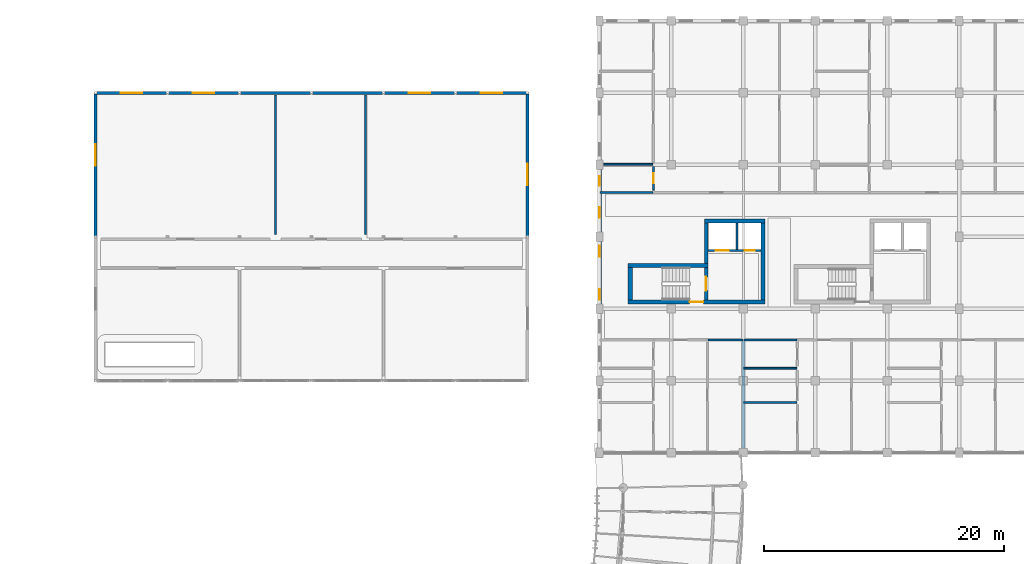
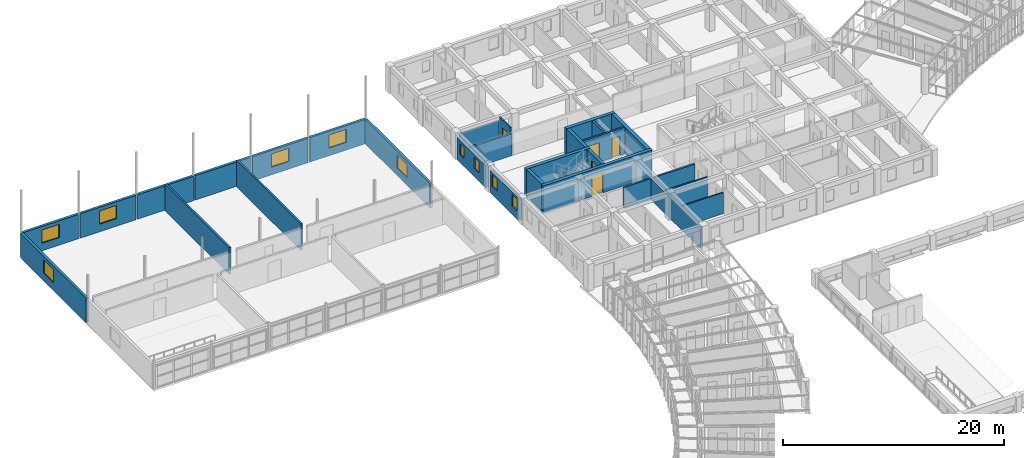
# One storey, part 101 of 137: 29 walls, 10 windows, 5 doors, 15 openings.
"""IFC4 building model written with IfcOpenShell, lengths in metres."""

from ifc_helpers import new_model, si_unit, direction, frame, frame_2d, origin, place, context, subcontext, project, spatial, rectangle, extrude, material, layer, layer_set, type_object, element, fill, save


model = new_model("IFC4")

# Units and contexts
model_context = context("Model", 3, precision=1e-05, world=origin(), true_north=direction((0.0, 1.0)))
body_context = subcontext(model_context, "Body", "Model", "MODEL_VIEW")
ifc_project = project(units=[si_unit("LENGTHUNIT", "METRE"), si_unit("AREAUNIT", "SQUARE_METRE"), si_unit("VOLUMEUNIT", "CUBIC_METRE"), si_unit("PLANEANGLEUNIT", "RADIAN"), si_unit("MASSUNIT", "GRAM", prefix="KILO"), si_unit("POWERUNIT", "WATT"), si_unit("THERMODYNAMICTEMPERATUREUNIT", "KELVIN")], contexts=[model_context])

# Site, building, storey
site_placement = place(None, origin())
site = spatial("IfcSite", under=ifc_project, at=site_placement, CompositionType="ELEMENT")
building_placement = place(site_placement, origin())
building = spatial("IfcBuilding", under=site, at=building_placement, Name="Ruvembo Vaulted Housing Court", CompositionType="ELEMENT")
storey_placement = place(building_placement, frame((0.0, 0.0, 4.5)))
storey = spatial("IfcBuildingStorey", under=building, at=storey_placement, Name="L01", CompositionType="ELEMENT", Elevation=4.5)

# Wall, opening, door
ifc_material_1 = material(Name="Concrete C35/45", Category="concrete")
ifc_layer_1 = layer(ifc_material_1, 0.300048828125, Name="Concrete C35/45")
ifc_layer_set_1 = layer_set([ifc_layer_1], Name="Concrete C35/45")
wall_type_1 = type_object("IfcWallType", Name="WL-CORE-300", PredefinedType="SHEAR", material=ifc_layer_set_1)
wall_1_placement = place(storey_placement, frame((56.89990234375, 90.75, 0.0), z_axis=(0.0, 0.0, 1.0), x_axis=(0.0, 1.0, 0.0)))
wall_1 = element("IfcWall", 1, at=wall_1_placement, inside=storey, type_object=wall_type_1, Name="Core B1 L01 Stair-Lobby Shear Wall", PredefinedType="SHEAR", context=body_context, shape_type="SweptSolid", body=[
    extrude(rectangle(XDim=2.699951171875, YDim=0.300048828125, at=frame_2d((1.35009765625, 0.0))), origin(), (0.0, 0.0, 1.0), 2.945068359375),
])
opening_1_placement = place(wall_1_placement, frame((0.77490234375, 0.0, 0.0)))
opening_1 = element("IfcOpeningElement", 2, at=opening_1_placement, cuts=wall_1, Name="Opening SD1", PredefinedType="OPENING", context=body_context, shape_type="SweptSolid", body=[
    extrude(rectangle(XDim=1.14990234375, YDim=2.14990234375, at=frame_2d((0.574951171875, 1.074951171875))), frame((0.0, 0.159912109375, 0.0), z_axis=(0.0, -1.0, 0.0), x_axis=(1.0, 0.0, 0.0)), (0.0, 0.0, 1.0), 0.320068359375),
])
ifc_material_2 = material(Name="Galvanised Painted Steel", Category="steel")
door_type_1 = type_object("IfcDoorType", Name="DR-STAIR-1150x2150", OperationType="NOTDEFINED", PredefinedType="DOOR", material=ifc_material_2)
door_1_placement = place(opening_1_placement, origin())
door_1 = element("IfcDoor", 3, at=door_1_placement, inside=storey, type_object=door_type_1, Name="Stair ST-B1 L01 Fire Door", OperationType="SINGLE_SWING_RIGHT", OverallHeight=2.14990234375, OverallWidth=1.14990234375, PredefinedType="DOOR", context=body_context, shape_type="SweptSolid", body=[
    extrude(rectangle(XDim=1.14990234375, YDim=2.14990234375, at=frame_2d((0.574951171875, 1.074951171875))), frame((0.0, 0.02490234375, 0.0), z_axis=(0.0, -1.0, 0.0), x_axis=(1.0, 0.0, 0.0)), (0.0, 0.0, 1.0), 0.050048828125),
])
fill(opening_1, door_1)

# Wall
wall_2_placement = place(storey_placement, frame((56.89990234375, 93.800048828125, 0.0), z_axis=(0.0, 0.0, 1.0), x_axis=(0.0, 1.0, 0.0)))
element("IfcWall", 4, at=wall_2_placement, inside=storey, type_object=wall_type_1, Name="Core B1 L01 Upper West Shear Wall", PredefinedType="SHEAR", context=body_context, shape_type="SweptSolid", body=[
    extrude(rectangle(XDim=3.349853515625, YDim=0.300048828125, at=frame_2d((1.6748046875, 0.0))), origin(), (0.0, 0.0, 1.0), 2.945068359375),
])

# Wall, opening, door
ifc_layer_2 = layer(ifc_material_1, 0.35009765625, Name="Concrete C35/45")
ifc_layer_set_2 = layer_set([ifc_layer_2], Name="Concrete C35/45")
wall_type_2 = type_object("IfcWallType", Name="WL-CORE-350", PredefinedType="SHEAR", material=ifc_layer_set_2)
wall_3_placement = place(storey_placement, frame((50.39990234375, 90.574951171875, 0.0), z_axis=(0.0, 0.0, 1.0), x_axis=(1.0, 0.0, 0.0)))
wall_3 = element("IfcWall", 5, at=wall_3_placement, inside=storey, type_object=wall_type_2, Name="Core B1 L01 South Shear Wall", PredefinedType="SHEAR", context=body_context, shape_type="SweptSolid", body=[
    extrude(rectangle(XDim=11.400146484375, YDim=0.35009765625, at=frame_2d((5.7001953125, 0.0))), origin(), (0.0, 0.0, 1.0), 2.945068359375),
])
opening_2_placement = place(wall_3_placement, frame((5.125, 0.0, 0.0)))
opening_2 = element("IfcOpeningElement", 6, at=opening_2_placement, cuts=wall_3, Name="Opening LD0", PredefinedType="OPENING", context=body_context, shape_type="SweptSolid", body=[
    extrude(rectangle(XDim=1.14990234375, YDim=2.14990234375, at=frame_2d((0.574951171875, 1.074951171875))), frame((0.0, 0.18505859375, 0.0), z_axis=(0.0, -1.0, 0.0), x_axis=(1.0, 0.0, 0.0)), (0.0, 0.0, 1.0), 0.3701171875),
])
door_type_2 = type_object("IfcDoorType", Name="DR-LOB-1150x2150", OperationType="NOTDEFINED", PredefinedType="DOOR", material=ifc_material_2)
door_2_placement = place(opening_2_placement, origin())
door_2 = element("IfcDoor", 7, at=door_2_placement, inside=storey, type_object=door_type_2, Name="Core B1 L01 Lobby Fire Door", OperationType="SINGLE_SWING_LEFT", OverallHeight=2.14990234375, OverallWidth=1.14990234375, PredefinedType="DOOR", context=body_context, shape_type="SweptSolid", body=[
    extrude(rectangle(XDim=1.14990234375, YDim=2.14990234375, at=frame_2d((0.574951171875, 1.074951171875))), frame((0.0, 0.02490234375, 0.0), z_axis=(0.0, -1.0, 0.0), x_axis=(1.0, 0.0, 0.0)), (0.0, 0.0, 1.0), 0.050048828125),
])
fill(opening_2, door_2)

# Walls
wall_4_placement = place(storey_placement, frame((57.050048828125, 93.625, 0.0), z_axis=(0.0, 0.0, 1.0), x_axis=(-1.0, 0.0, 0.0)))
element("IfcWall", 8, at=wall_4_placement, inside=storey, type_object=wall_type_2, Name="Core B1 L01 Stair North Shear Wall", PredefinedType="SHEAR", context=body_context, shape_type="SweptSolid", body=[
    extrude(rectangle(XDim=6.650146484375, YDim=0.35009765625, at=frame_2d((3.3251953125, 0.0))), origin(), (0.0, 0.0, 1.0), 2.945068359375),
])
wall_5_placement = place(storey_placement, frame((50.574951171875, 93.449951171875, 0.0), z_axis=(0.0, 0.0, 1.0), x_axis=(0.0, -1.0, 0.0)))
element("IfcWall", 9, at=wall_5_placement, inside=storey, type_object=wall_type_2, Name="Core B1 L01 Stair West Shear Wall", PredefinedType="SHEAR", context=body_context, shape_type="SweptSolid", body=[
    extrude(rectangle(XDim=2.699951171875, YDim=0.35009765625, at=frame_2d((1.35009765625, 0.0))), origin(), (0.0, 0.0, 1.0), 2.945068359375),
])
wall_6_placement = place(storey_placement, frame((61.800048828125, 97.324951171875, 0.0), z_axis=(0.0, 0.0, 1.0), x_axis=(-1.0, 0.0, 0.0)))
element("IfcWall", 10, at=wall_6_placement, inside=storey, type_object=wall_type_2, Name="Core B1 L01 North Shear Wall", PredefinedType="SHEAR", context=body_context, shape_type="SweptSolid", body=[
    extrude(rectangle(XDim=5.050048828125, YDim=0.35009765625, at=frame_2d((2.52490234375, 0.0))), origin(), (0.0, 0.0, 1.0), 2.945068359375),
])
wall_7_placement = place(storey_placement, frame((61.625, 90.75, 0.0), z_axis=(0.0, 0.0, 1.0), x_axis=(0.0, 1.0, 0.0)))
element("IfcWall", 11, at=wall_7_placement, inside=storey, type_object=wall_type_2, Name="Core B1 L01 East Shear Wall", PredefinedType="SHEAR", context=body_context, shape_type="SweptSolid", body=[
    extrude(rectangle(XDim=6.39990234375, YDim=0.35009765625, at=frame_2d((3.199951171875, 0.0))), origin(), (0.0, 0.0, 1.0), 2.945068359375),
])
ifc_material_3 = material(Name="Concrete Blockwork 190", Category="masonry")
ifc_layer_3 = layer(ifc_material_3, 0.18994140625, Name="Concrete Blockwork 190")
ifc_layer_set_3 = layer_set([ifc_layer_3], Name="Concrete Blockwork 190")
wall_type_3 = type_object("IfcWallType", Name="WL-CORR-190", PredefinedType="SOLIDWALL", material=ifc_layer_set_3)
for number, where, z_axis, x_axis, name in (
    (12, (21.0, 96.18994140625, 0.0), (0.0, 0.0, 1.0), (0.0, 1.0, 0.0), "L01 Educators' Workroom and Clinic Div WL-INT-L01-00166"),
    (13, (28.5, 96.18994140625, 0.0), (0.0, 0.0, 1.0), (0.0, 1.0, 0.0), "L01 Staff Accessible WC Div WL-INT-L01-00168"),
):
    element("IfcWall", number, at=place(storey_placement, frame(where, z_axis=z_axis, x_axis=x_axis)), inside=storey, type_object=wall_type_3, Name=name, PredefinedType="SOLIDWALL", context=body_context, shape_type="SweptSolid", body=[
        extrude(rectangle(XDim=11.6201171875, YDim=0.18994140625, at=frame_2d((5.81005859375, 0.0))), origin(), (0.0, 0.0, 1.0), 2.945068359375),
    ])
wall_8_placement = place(storey_placement, frame((57.0400390625, 87.39990234375, 0.0), z_axis=(0.0, 0.0, 1.0), x_axis=(1.0, 0.0, 0.0)))
element("IfcWall", 14, at=wall_8_placement, inside=storey, type_object=wall_type_3, Name="L01 Flat B-L01-S1 Corridor Wall 2 WL-INT-L01-00234", PredefinedType="SOLIDWALL", context=body_context, shape_type="SweptSolid", body=[
    extrude(rectangle(XDim=2.919921875, YDim=0.18994140625, at=frame_2d((1.4599609375, 0.0))), origin(), (0.0, 0.0, 1.0), 2.326904296875),
])
wall_9_placement = place(storey_placement, frame((60.0400390625, 87.39990234375, 0.0), z_axis=(0.0, 0.0, 1.0), x_axis=(1.0, 0.0, 0.0)))
element("IfcWall", 15, at=wall_9_placement, inside=storey, type_object=wall_type_3, Name="L01 Flat B-L01-S2 Corridor Wall WL-INT-L01-00237", PredefinedType="SOLIDWALL", context=body_context, shape_type="SweptSolid", body=[
    extrude(rectangle(XDim=4.419921875, YDim=0.18994140625, at=frame_2d((2.2099609375, 0.0))), origin(), (0.0, 0.0, 1.0), 2.326904296875),
])
wall_10_placement = place(storey_placement, frame((48.0400390625, 99.699951171875, 0.0), z_axis=(0.0, 0.0, 1.0), x_axis=(1.0, 0.0, 0.0)))
element("IfcWall", 16, at=wall_10_placement, inside=storey, type_object=wall_type_3, Name="L01 Flat B-L01-N1 Corridor Wall WL-INT-L01-00256", PredefinedType="SOLIDWALL", context=body_context, shape_type="SweptSolid", body=[
    extrude(rectangle(XDim=4.419921875, YDim=0.18994140625, at=frame_2d((2.2099609375, 0.0))), origin(), (0.0, 0.0, 1.0), 2.427001953125),
])
ifc_material_4 = material(Name="Acoustic Masonry Demising 230", Category="masonry")
ifc_layer_4 = layer(ifc_material_4, 0.22998046875, Name="Acoustic Masonry Demising 230")
ifc_layer_set_4 = layer_set([ifc_layer_4], Name="Acoustic Masonry Demising 230")
wall_type_4 = type_object("IfcWallType", Name="WL-DEM-230", PredefinedType="SOLIDWALL", material=ifc_layer_set_4)
wall_11_placement = place(storey_placement, frame((60.0, 78.389892578125, 0.0), z_axis=(0.0, 0.0, 1.0), x_axis=(0.0, 1.0, 0.0)))
element("IfcWall", 17, at=wall_11_placement, inside=storey, type_object=wall_type_4, Name="L01 Demising B-L01-S1 WL-INT-L01-00226", PredefinedType="SOLIDWALL", context=body_context, shape_type="SweptSolid", body=[
    extrude(rectangle(XDim=8.97021484375, YDim=0.22998046875, at=frame_2d((4.485107421875, 0.0))), origin(), (0.0, 0.0, 1.0), 2.326904296875),
])

# Wall, opening, window
ifc_material_5 = material(Name="Rendered Masonry 260", Category="masonry")
ifc_layer_5 = layer(ifc_material_5, 0.260009765625, Name="Rendered Masonry 260")
ifc_layer_set_5 = layer_set([ifc_layer_5], Name="Rendered Masonry 260")
wall_type_5 = type_object("IfcWallType", Name="WL-EXT-260", PredefinedType="STANDARD", material=ifc_layer_set_5)
wall_12_placement = place(storey_placement, frame((11.909912109375, 108.0, 0.0), z_axis=(0.0, 0.0, 1.0), x_axis=(-1.0, 0.0, 0.0)))
wall_12 = element("IfcWall", 18, at=wall_12_placement, inside=storey, type_object=wall_type_5, Name="Nursery North Wall L01 B1", PredefinedType="STANDARD", context=body_context, shape_type="SweptSolid", body=[
    extrude(rectangle(XDim=5.81982421875, YDim=0.260009765625, at=frame_2d((2.909912109375, 0.0))), origin(), (0.0, 0.0, 1.0), 2.699951171875),
])
opening_3_placement = place(wall_12_placement, frame((2.010009765625, 0.0, 0.85009765625)))
opening_3 = element("IfcOpeningElement", 19, at=opening_3_placement, cuts=wall_12, Name="Opening W22", PredefinedType="OPENING", context=body_context, shape_type="SweptSolid", body=[
    extrude(rectangle(XDim=1.800048828125, YDim=1.449951171875, at=frame_2d((0.89990234375, 0.72509765625))), frame((0.0, 0.139892578125, 0.0), z_axis=(0.0, -1.0, 0.0), x_axis=(1.0, 0.0, 0.0)), (0.0, 0.0, 1.0), 0.280029296875),
])
ifc_material_6 = material(Name="Double Solar-Control Glazing in Aluminium Frame", Category="aluminium")
window_type_1 = type_object("IfcWindowType", Name="WIN-1800x1450", PartitioningType="SINGLE_PANEL", PredefinedType="WINDOW", material=ifc_material_6)
window_1_placement = place(opening_3_placement, origin())
window_1 = element("IfcWindow", 20, at=window_1_placement, inside=storey, type_object=window_type_1, Name="Nursery North Window L01 B1", OverallHeight=1.449951171875, OverallWidth=1.800048828125, PartitioningType="SINGLE_PANEL", PredefinedType="WINDOW", context=body_context, shape_type="SweptSolid", body=[
    extrude(rectangle(XDim=1.800048828125, YDim=1.449951171875, at=frame_2d((0.89990234375, 0.72509765625))), frame((0.0, 0.030029296875, 0.0), z_axis=(0.0, -1.0, 0.0), x_axis=(1.0, 0.0, 0.0)), (0.0, 0.0, 1.0), 0.06005859375),
])
fill(opening_3, window_1)

wall_13_placement = place(storey_placement, frame((17.909912109375, 108.0, 0.0), z_axis=(0.0, 0.0, 1.0), x_axis=(-1.0, 0.0, 0.0)))
wall_13 = element("IfcWall", 21, at=wall_13_placement, inside=storey, type_object=wall_type_5, Name="Nursery North Wall L01 B2", PredefinedType="STANDARD", context=body_context, shape_type="SweptSolid", body=[
    extrude(rectangle(XDim=5.81982421875, YDim=0.260009765625, at=frame_2d((2.909912109375, 0.0))), origin(), (0.0, 0.0, 1.0), 2.699951171875),
])
opening_4_placement = place(wall_13_placement, frame((2.010009765625, 0.0, 0.85009765625)))
opening_4 = element("IfcOpeningElement", 22, at=opening_4_placement, cuts=wall_13, Name="Opening W22", PredefinedType="OPENING", context=body_context, shape_type="SweptSolid", body=[
    extrude(rectangle(XDim=1.800048828125, YDim=1.449951171875, at=frame_2d((0.89990234375, 0.72509765625))), frame((0.0, 0.139892578125, 0.0), z_axis=(0.0, -1.0, 0.0), x_axis=(1.0, 0.0, 0.0)), (0.0, 0.0, 1.0), 0.280029296875),
])
window_2_placement = place(opening_4_placement, origin())
window_2 = element("IfcWindow", 23, at=window_2_placement, inside=storey, type_object=window_type_1, Name="Nursery North Window L01 B2", OverallHeight=1.449951171875, OverallWidth=1.800048828125, PartitioningType="SINGLE_PANEL", PredefinedType="WINDOW", context=body_context, shape_type="SweptSolid", body=[
    extrude(rectangle(XDim=1.800048828125, YDim=1.449951171875, at=frame_2d((0.89990234375, 0.72509765625))), frame((0.0, 0.030029296875, 0.0), z_axis=(0.0, -1.0, 0.0), x_axis=(1.0, 0.0, 0.0)), (0.0, 0.0, 1.0), 0.06005859375),
])
fill(opening_4, window_2)

# Walls
for number, where, z_axis, x_axis, name in (
    (24, (23.909912109375, 108.0, 0.0), (0.0, 0.0, 1.0), (-1.0, 0.0, 0.0), "Nursery North Wall L01 B3"),
    (25, (29.909912109375, 108.0, 0.0), (0.0, 0.0, 1.0), (-1.0, 0.0, 0.0), "Nursery North Wall L01 B4"),
):
    element("IfcWall", number, at=place(storey_placement, frame(where, z_axis=z_axis, x_axis=x_axis)), inside=storey, type_object=wall_type_5, Name=name, PredefinedType="STANDARD", context=body_context, shape_type="SweptSolid", body=[
        extrude(rectangle(XDim=5.81982421875, YDim=0.260009765625, at=frame_2d((2.909912109375, 0.0))), origin(), (0.0, 0.0, 1.0), 2.699951171875),
    ])

# Wall, opening, window
wall_14_placement = place(storey_placement, frame((35.909912109375, 108.0, 0.0), z_axis=(0.0, 0.0, 1.0), x_axis=(-1.0, 0.0, 0.0)))
wall_14 = element("IfcWall", 26, at=wall_14_placement, inside=storey, type_object=wall_type_5, Name="Nursery North Wall L01 B5", PredefinedType="STANDARD", context=body_context, shape_type="SweptSolid", body=[
    extrude(rectangle(XDim=5.81982421875, YDim=0.260009765625, at=frame_2d((2.909912109375, 0.0))), origin(), (0.0, 0.0, 1.0), 2.699951171875),
])
opening_5_placement = place(wall_14_placement, frame((2.010009765625, 0.0, 0.85009765625)))
opening_5 = element("IfcOpeningElement", 27, at=opening_5_placement, cuts=wall_14, Name="Opening W22", PredefinedType="OPENING", context=body_context, shape_type="SweptSolid", body=[
    extrude(rectangle(XDim=1.800048828125, YDim=1.449951171875, at=frame_2d((0.89990234375, 0.72509765625))), frame((0.0, 0.139892578125, 0.0), z_axis=(0.0, -1.0, 0.0), x_axis=(1.0, 0.0, 0.0)), (0.0, 0.0, 1.0), 0.280029296875),
])
window_3_placement = place(opening_5_placement, origin())
window_3 = element("IfcWindow", 28, at=window_3_placement, inside=storey, type_object=window_type_1, Name="Nursery North Window L01 B5", OverallHeight=1.449951171875, OverallWidth=1.800048828125, PartitioningType="SINGLE_PANEL", PredefinedType="WINDOW", context=body_context, shape_type="SweptSolid", body=[
    extrude(rectangle(XDim=1.800048828125, YDim=1.449951171875, at=frame_2d((0.89990234375, 0.72509765625))), frame((0.0, 0.030029296875, 0.0), z_axis=(0.0, -1.0, 0.0), x_axis=(1.0, 0.0, 0.0)), (0.0, 0.0, 1.0), 0.06005859375),
])
fill(opening_5, window_3)

wall_15_placement = place(storey_placement, frame((41.909912109375, 108.0, 0.0), z_axis=(0.0, 0.0, 1.0), x_axis=(-1.0, 0.0, 0.0)))
wall_15 = element("IfcWall", 29, at=wall_15_placement, inside=storey, type_object=wall_type_5, Name="Nursery North Wall L01 B6", PredefinedType="STANDARD", context=body_context, shape_type="SweptSolid", body=[
    extrude(rectangle(XDim=5.81982421875, YDim=0.260009765625, at=frame_2d((2.909912109375, 0.0))), origin(), (0.0, 0.0, 1.0), 2.699951171875),
])
opening_6_placement = place(wall_15_placement, frame((2.010009765625, 0.0, 0.85009765625)))
opening_6 = element("IfcOpeningElement", 30, at=opening_6_placement, cuts=wall_15, Name="Opening W22", PredefinedType="OPENING", context=body_context, shape_type="SweptSolid", body=[
    extrude(rectangle(XDim=1.800048828125, YDim=1.449951171875, at=frame_2d((0.89990234375, 0.72509765625))), frame((0.0, 0.139892578125, 0.0), z_axis=(0.0, -1.0, 0.0), x_axis=(1.0, 0.0, 0.0)), (0.0, 0.0, 1.0), 0.280029296875),
])
window_4_placement = place(opening_6_placement, origin())
window_4 = element("IfcWindow", 31, at=window_4_placement, inside=storey, type_object=window_type_1, Name="Nursery North Window L01 B6", OverallHeight=1.449951171875, OverallWidth=1.800048828125, PartitioningType="SINGLE_PANEL", PredefinedType="WINDOW", context=body_context, shape_type="SweptSolid", body=[
    extrude(rectangle(XDim=1.800048828125, YDim=1.449951171875, at=frame_2d((0.89990234375, 0.72509765625))), frame((0.0, 0.030029296875, 0.0), z_axis=(0.0, -1.0, 0.0), x_axis=(1.0, 0.0, 0.0)), (0.0, 0.0, 1.0), 0.06005859375),
])
fill(opening_6, window_4)

wall_16_placement = place(storey_placement, frame((6.0, 107.909912109375, 0.0), z_axis=(0.0, 0.0, 1.0), x_axis=(0.0, -1.0, 0.0)))
wall_16 = element("IfcWall", 32, at=wall_16_placement, inside=storey, type_object=wall_type_5, Name="Nursery W Wall L01 #2", PredefinedType="STANDARD", context=body_context, shape_type="SweptSolid", body=[
    extrude(rectangle(XDim=11.81982421875, YDim=0.260009765625, at=frame_2d((5.909912109375, 0.0))), origin(), (0.0, 0.0, 1.0), 2.699951171875),
])
opening_7_placement = place(wall_16_placement, frame((4.199951171875, 0.0, 0.85009765625)))
opening_7 = element("IfcOpeningElement", 33, at=opening_7_placement, cuts=wall_16, Name="Opening W22", PredefinedType="OPENING", context=body_context, shape_type="SweptSolid", body=[
    extrude(rectangle(XDim=1.800048828125, YDim=1.449951171875, at=frame_2d((0.89990234375, 0.72509765625))), frame((0.0, 0.139892578125, 0.0), z_axis=(0.0, -1.0, 0.0), x_axis=(1.0, 0.0, 0.0)), (0.0, 0.0, 1.0), 0.280029296875),
])
window_5_placement = place(opening_7_placement, origin())
window_5 = element("IfcWindow", 34, at=window_5_placement, inside=storey, type_object=window_type_1, Name="Nursery W Window L01 #2", OverallHeight=1.449951171875, OverallWidth=1.800048828125, PartitioningType="SINGLE_PANEL", PredefinedType="WINDOW", context=body_context, shape_type="SweptSolid", body=[
    extrude(rectangle(XDim=1.800048828125, YDim=1.449951171875, at=frame_2d((0.89990234375, 0.72509765625))), frame((0.0, 0.030029296875, 0.0), z_axis=(0.0, -1.0, 0.0), x_axis=(1.0, 0.0, 0.0)), (0.0, 0.0, 1.0), 0.06005859375),
])
fill(opening_7, window_5)

wall_17_placement = place(storey_placement, frame((42.0, 96.090087890625, 0.0), z_axis=(0.0, 0.0, 1.0), x_axis=(0.0, 1.0, 0.0)))
wall_17 = element("IfcWall", 35, at=wall_17_placement, inside=storey, type_object=wall_type_5, Name="Nursery E Wall L01 #2", PredefinedType="STANDARD", context=body_context, shape_type="SweptSolid", body=[
    extrude(rectangle(XDim=11.81982421875, YDim=0.260009765625, at=frame_2d((5.909912109375, 0.0))), origin(), (0.0, 0.0, 1.0), 2.699951171875),
])
opening_8_placement = place(wall_17_placement, frame((4.199951171875, 0.0, 0.85009765625)))
opening_8 = element("IfcOpeningElement", 36, at=opening_8_placement, cuts=wall_17, Name="Opening W22", PredefinedType="OPENING", context=body_context, shape_type="SweptSolid", body=[
    extrude(rectangle(XDim=1.800048828125, YDim=1.449951171875, at=frame_2d((0.89990234375, 0.72509765625))), frame((0.0, 0.139892578125, 0.0), z_axis=(0.0, -1.0, 0.0), x_axis=(1.0, 0.0, 0.0)), (0.0, 0.0, 1.0), 0.280029296875),
])
window_6_placement = place(opening_8_placement, origin())
window_6 = element("IfcWindow", 37, at=window_6_placement, inside=storey, type_object=window_type_1, Name="Nursery E Window L01 #2", OverallHeight=1.449951171875, OverallWidth=1.800048828125, PartitioningType="SINGLE_PANEL", PredefinedType="WINDOW", context=body_context, shape_type="SweptSolid", body=[
    extrude(rectangle(XDim=1.800048828125, YDim=1.449951171875, at=frame_2d((0.89990234375, 0.72509765625))), frame((0.0, 0.030029296875, 0.0), z_axis=(0.0, -1.0, 0.0), x_axis=(1.0, 0.0, 0.0)), (0.0, 0.0, 1.0), 0.06005859375),
])
fill(opening_8, window_6)

# Wall, openings, windows
ifc_material_7 = material(Name="Rendered Masonry 320", Category="masonry")
ifc_layer_6 = layer(ifc_material_7, 0.320068359375, Name="Rendered Masonry 320")
ifc_layer_set_6 = layer_set([ifc_layer_6], Name="Rendered Masonry 320")
wall_type_6 = type_object("IfcWallType", Name="WL-EXT-320", PredefinedType="STANDARD", material=ifc_layer_set_6)
wall_18_placement = place(storey_placement, frame((48.0, 101.60009765625, 0.0), z_axis=(0.0, 0.0, 1.0), x_axis=(0.0, -1.0, 0.0)))
wall_18 = element("IfcWall", 38, at=wall_18_placement, inside=storey, type_object=wall_type_6, Name="Block B L01 Exterior Wall WEST #3", PredefinedType="STANDARD", context=body_context, shape_type="SweptSolid", body=[
    extrude(rectangle(XDim=5.2001953125, YDim=0.320068359375, at=frame_2d((2.60009765625, 0.0))), origin(), (0.0, 0.0, 1.0), 2.427001953125),
])
opening_9_placement = place(wall_18_placement, frame((0.530029296875, 0.0, 0.89990234375)))
opening_9 = element("IfcOpeningElement", 39, at=opening_9_placement, cuts=wall_18, Name="Opening W02", PredefinedType="OPENING", context=body_context, shape_type="SweptSolid", body=[
    extrude(rectangle(XDim=0.800048828125, YDim=1.199951171875, at=frame_2d((0.39990234375, 0.60009765625))), frame((0.0, 0.169921875, 0.0), z_axis=(0.0, -1.0, 0.0), x_axis=(1.0, 0.0, 0.0)), (0.0, 0.0, 1.0), 0.340087890625),
])
opening_10_placement = place(wall_18_placement, frame((3.14501953125, 0.0, 0.89990234375)))
opening_10 = element("IfcOpeningElement", 40, at=opening_10_placement, cuts=wall_18, Name="Opening W03", PredefinedType="OPENING", context=body_context, shape_type="SweptSolid", body=[
    extrude(rectangle(XDim=0.85009765625, YDim=1.25, at=frame_2d((0.425048828125, 0.625))), frame((0.0, 0.169921875, 0.0), z_axis=(0.0, -1.0, 0.0), x_axis=(1.0, 0.0, 0.0)), (0.0, 0.0, 1.0), 0.340087890625),
])
window_type_2 = type_object("IfcWindowType", Name="WIN-0800x1200", PartitioningType="SINGLE_PANEL", PredefinedType="WINDOW", material=ifc_material_6)
window_7_placement = place(opening_9_placement, origin())
window_7 = element("IfcWindow", 41, at=window_7_placement, inside=storey, type_object=window_type_2, Name="Block B L01 Window #678", OverallHeight=1.199951171875, OverallWidth=0.800048828125, PartitioningType="SINGLE_PANEL", PredefinedType="WINDOW", context=body_context, shape_type="SweptSolid", body=[
    extrude(rectangle(XDim=0.800048828125, YDim=1.199951171875, at=frame_2d((0.39990234375, 0.60009765625))), frame((0.0, 0.030029296875, 0.0), z_axis=(0.0, -1.0, 0.0), x_axis=(1.0, 0.0, 0.0)), (0.0, 0.0, 1.0), 0.06005859375),
])
fill(opening_9, window_7)
window_type_3 = type_object("IfcWindowType", Name="WIN-0850x1250", PartitioningType="SINGLE_PANEL", PredefinedType="WINDOW", material=ifc_material_6)
window_8_placement = place(opening_10_placement, origin())
window_8 = element("IfcWindow", 42, at=window_8_placement, inside=storey, type_object=window_type_3, Name="Block B L01 Window #679", OverallHeight=1.25, OverallWidth=0.85009765625, PartitioningType="SINGLE_PANEL", PredefinedType="WINDOW", context=body_context, shape_type="SweptSolid", body=[
    extrude(rectangle(XDim=0.85009765625, YDim=1.25, at=frame_2d((0.425048828125, 0.625))), frame((0.0, 0.030029296875, 0.0), z_axis=(0.0, -1.0, 0.0), x_axis=(1.0, 0.0, 0.0)), (0.0, 0.0, 1.0), 0.06005859375),
])
fill(opening_10, window_8)

wall_19_placement = place(storey_placement, frame((48.0, 95.60009765625, 0.0), z_axis=(0.0, 0.0, 1.0), x_axis=(0.0, -1.0, 0.0)))
wall_19 = element("IfcWall", 43, at=wall_19_placement, inside=storey, type_object=wall_type_6, Name="Block B L01 Exterior Wall WEST #4", PredefinedType="STANDARD", context=body_context, shape_type="SweptSolid", body=[
    extrude(rectangle(XDim=5.2001953125, YDim=0.320068359375, at=frame_2d((2.60009765625, 0.0))), origin(), (0.0, 0.0, 1.0), 2.427001953125),
])
opening_11_placement = place(wall_19_placement, frame((0.35009765625, 0.0, 0.89990234375)))
opening_11 = element("IfcOpeningElement", 44, at=opening_11_placement, cuts=wall_19, Name="Opening W04", PredefinedType="OPENING", context=body_context, shape_type="SweptSolid", body=[
    extrude(rectangle(XDim=0.89990234375, YDim=1.300048828125, at=frame_2d((0.449951171875, 0.64990234375))), frame((0.0, 0.169921875, 0.0), z_axis=(0.0, -1.0, 0.0), x_axis=(1.0, 0.0, 0.0)), (0.0, 0.0, 1.0), 0.340087890625),
])
opening_12_placement = place(wall_19_placement, frame((3.949951171875, 0.0, 0.89990234375)))
opening_12 = element("IfcOpeningElement", 45, at=opening_12_placement, cuts=wall_19, Name="Opening W04", PredefinedType="OPENING", context=body_context, shape_type="SweptSolid", body=[
    extrude(rectangle(XDim=0.89990234375, YDim=1.300048828125, at=frame_2d((0.449951171875, 0.64990234375))), frame((0.0, 0.169921875, 0.0), z_axis=(0.0, -1.0, 0.0), x_axis=(1.0, 0.0, 0.0)), (0.0, 0.0, 1.0), 0.340087890625),
])
window_type_4 = type_object("IfcWindowType", Name="WIN-0900x1300", PartitioningType="SINGLE_PANEL", PredefinedType="WINDOW", material=ifc_material_6)
window_9_placement = place(opening_11_placement, origin())
window_9 = element("IfcWindow", 46, at=window_9_placement, inside=storey, type_object=window_type_4, Name="Block B L01 Window #680", OverallHeight=1.300048828125, OverallWidth=0.89990234375, PartitioningType="SINGLE_PANEL", PredefinedType="WINDOW", context=body_context, shape_type="SweptSolid", body=[
    extrude(rectangle(XDim=0.89990234375, YDim=1.300048828125, at=frame_2d((0.449951171875, 0.64990234375))), frame((0.0, 0.030029296875, 0.0), z_axis=(0.0, -1.0, 0.0), x_axis=(1.0, 0.0, 0.0)), (0.0, 0.0, 1.0), 0.06005859375),
])
fill(opening_11, window_9)
window_10_placement = place(opening_12_placement, origin())
window_10 = element("IfcWindow", 47, at=window_10_placement, inside=storey, type_object=window_type_4, Name="Block B L01 Window #681", OverallHeight=1.300048828125, OverallWidth=0.89990234375, PartitioningType="SINGLE_PANEL", PredefinedType="WINDOW", context=body_context, shape_type="SweptSolid", body=[
    extrude(rectangle(XDim=0.89990234375, YDim=1.300048828125, at=frame_2d((0.449951171875, 0.64990234375))), frame((0.0, 0.030029296875, 0.0), z_axis=(0.0, -1.0, 0.0), x_axis=(1.0, 0.0, 0.0)), (0.0, 0.0, 1.0), 0.06005859375),
])
fill(opening_12, window_10)

# Walls
ifc_material_8 = material(Name="Moisture-Resistant Wet Partition 150", Category="gypsum")
ifc_layer_7 = layer(ifc_material_8, 0.14990234375, Name="Moisture-Resistant Wet Partition 150")
ifc_layer_set_7 = layer_set([ifc_layer_7], Name="Moisture-Resistant Wet Partition 150")
wall_type_7 = type_object("IfcWallType", Name="WL-PART-150", PredefinedType="PARTITIONING", material=ifc_layer_set_7)
for number, where, z_axis, x_axis, name in (
    (48, (60.0400390625, 82.199951171875, 0.0), (0.0, 0.0, 1.0), (1.0, 0.0, 0.0), "L01 Flat B-L01-S2 Wet Wall 1 WL-INT-L01-00242"),
    (49, (60.0400390625, 85.050048828125, 0.0), (0.0, 0.0, 1.0), (1.0, 0.0, 0.0), "L01 Flat B-L01-S2 Wet Wall 2 WL-INT-L01-00243"),
):
    element("IfcWall", number, at=place(storey_placement, frame(where, z_axis=z_axis, x_axis=x_axis)), inside=storey, type_object=wall_type_7, Name=name, PredefinedType="PARTITIONING", context=body_context, shape_type="SweptSolid", body=[
        extrude(rectangle(XDim=4.419921875, YDim=0.14990234375, at=frame_2d((2.2099609375, 0.0))), origin(), (0.0, 0.0, 1.0), 2.326904296875),
    ])

# Wall, opening, door
wall_20_placement = place(storey_placement, frame((52.5, 99.889892578125, 0.0), z_axis=(0.0, 0.0, 1.0), x_axis=(0.0, 1.0, 0.0)))
wall_20 = element("IfcWall", 50, at=wall_20_placement, inside=storey, type_object=wall_type_7, Name="L01 Flat B-L01-N1 Bathroom WL-INT-L01-00260", PredefinedType="PARTITIONING", context=body_context, shape_type="SweptSolid", body=[
    extrude(rectangle(XDim=1.97021484375, YDim=0.14990234375, at=frame_2d((0.985107421875, 0.0))), origin(), (0.0, 0.0, 1.0), 2.945068359375),
])
opening_13_placement = place(wall_20_placement, frame((0.56005859375, 0.0, 0.0)))
opening_13 = element("IfcOpeningElement", 51, at=opening_13_placement, cuts=wall_20, Name="Opening ID2", PredefinedType="OPENING", context=body_context, shape_type="SweptSolid", body=[
    extrude(rectangle(XDim=0.85009765625, YDim=2.10009765625, at=frame_2d((0.425048828125, 1.050048828125))), frame((0.0, 0.0849609375, 0.0), z_axis=(0.0, -1.0, 0.0), x_axis=(1.0, 0.0, 0.0)), (0.0, 0.0, 1.0), 0.169921875),
])
ifc_material_9 = material(Name="FSC Hardwood and Engineered Timber", Category="wood")
door_type_3 = type_object("IfcDoorType", Name="DR-WET-0850x2100", OperationType="NOTDEFINED", PredefinedType="DOOR", material=ifc_material_9)
door_3_placement = place(opening_13_placement, origin())
door_3 = element("IfcDoor", 52, at=door_3_placement, inside=storey, type_object=door_type_3, Name="L01 Flat B-L01-N1 Bathroom Door DR-INT-L01-00131", OperationType="SINGLE_SWING_LEFT", OverallHeight=2.10009765625, OverallWidth=0.85009765625, PredefinedType="DOOR", context=body_context, shape_type="SweptSolid", body=[
    extrude(rectangle(XDim=0.85009765625, YDim=2.10009765625, at=frame_2d((0.425048828125, 1.050048828125))), frame((0.0, 0.02490234375, 0.0), z_axis=(0.0, -1.0, 0.0), x_axis=(1.0, 0.0, 0.0)), (0.0, 0.0, 1.0), 0.050048828125),
])
fill(opening_13, door_3)

# Wall
wall_21_placement = place(storey_placement, frame((48.360107421875, 102.050048828125, 0.0), z_axis=(0.0, 0.0, 1.0), x_axis=(1.0, 0.0, 0.0)))
element("IfcWall", 53, at=wall_21_placement, inside=storey, type_object=wall_type_7, Name="L01 Flat B-L01-N1 Wet Wall 2 WL-INT-L01-00262", PredefinedType="PARTITIONING", context=body_context, shape_type="SweptSolid", body=[
    extrude(rectangle(XDim=4.099853515625, YDim=0.14990234375, at=frame_2d((2.0498046875, 0.0))), origin(), (0.0, 0.0, 1.0), 2.427001953125),
])

# Wall, openings, doors
ifc_material_10 = material(Name="Fire-Rated Masonry Shaft 180", Category="masonry")
ifc_layer_8 = layer(ifc_material_10, 0.179931640625, Name="Fire-Rated Masonry Shaft 180")
ifc_layer_set_8 = layer_set([ifc_layer_8], Name="Fire-Rated Masonry Shaft 180")
wall_type_8 = type_object("IfcWallType", Name="WL-SHAFT-180", PredefinedType="SOLIDWALL", material=ifc_layer_set_8)
wall_22_placement = place(storey_placement, frame((57.050048828125, 94.85009765625, 0.0), z_axis=(0.0, 0.0, 1.0), x_axis=(1.0, 0.0, 0.0)))
wall_22 = element("IfcWall", 54, at=wall_22_placement, inside=storey, type_object=wall_type_8, Name="Core B1 L01 Lift and Riser Front Wall", PredefinedType="SOLIDWALL", context=body_context, shape_type="SweptSolid", body=[
    extrude(rectangle(XDim=4.39990234375, YDim=0.179931640625, at=frame_2d((2.199951171875, 0.0))), origin(), (0.0, 0.0, 1.0), 2.945068359375),
])
opening_14_placement = place(wall_22_placement, frame((0.64990234375, 0.0, 0.0)))
opening_14 = element("IfcOpeningElement", 55, at=opening_14_placement, cuts=wall_22, Name="Opening LD-LP-B1-L01", PredefinedType="OPENING", context=body_context, shape_type="SweptSolid", body=[
    extrude(rectangle(XDim=1.10009765625, YDim=2.14990234375, at=frame_2d((0.550048828125, 1.074951171875))), frame((0.0, 0.099853515625, 0.0), z_axis=(0.0, -1.0, 0.0), x_axis=(1.0, 0.0, 0.0)), (0.0, 0.0, 1.0), 0.199951171875),
])
opening_15_placement = place(wall_22_placement, frame((3.050048828125, 0.0, 0.0)))
opening_15 = element("IfcOpeningElement", 56, at=opening_15_placement, cuts=wall_22, Name="Opening RD1", PredefinedType="OPENING", context=body_context, shape_type="SweptSolid", body=[
    extrude(rectangle(XDim=0.85009765625, YDim=2.10009765625, at=frame_2d((0.425048828125, 1.050048828125))), frame((0.0, 0.099853515625, 0.0), z_axis=(0.0, -1.0, 0.0), x_axis=(1.0, 0.0, 0.0)), (0.0, 0.0, 1.0), 0.199951171875),
])
ifc_material_11 = material(Name="Brushed Stainless Steel 304", Category="steel")
door_type_4 = type_object("IfcDoorType", Name="DR-LIFT-1100x2150", OperationType="NOTDEFINED", PredefinedType="DOOR", material=ifc_material_11)
door_4_placement = place(opening_14_placement, origin())
door_4 = element("IfcDoor", 57, at=door_4_placement, inside=storey, type_object=door_type_4, Name="Lift LP-B1 L01 Sliding Landing Door", OperationType="SLIDING_TO_LEFT", OverallHeight=2.14990234375, OverallWidth=1.10009765625, PredefinedType="DOOR", context=body_context, shape_type="SweptSolid", body=[
    extrude(rectangle(XDim=1.10009765625, YDim=2.14990234375, at=frame_2d((0.550048828125, 1.074951171875))), frame((0.0, 0.02490234375, 0.0), z_axis=(0.0, -1.0, 0.0), x_axis=(1.0, 0.0, 0.0)), (0.0, 0.0, 1.0), 0.050048828125),
])
fill(opening_14, door_4)
door_type_5 = type_object("IfcDoorType", Name="DR-RISER-0850x2100", OperationType="NOTDEFINED", PredefinedType="DOOR", material=ifc_material_2)
door_5_placement = place(opening_15_placement, frame((0.85009765625, 0.0, 0.0), z_axis=(0.0, 0.0, 1.0), x_axis=(-1.0, 0.0, 0.0)))
door_5 = element("IfcDoor", 58, at=door_5_placement, inside=storey, type_object=door_type_5, Name="Core B1 L01 Service Riser Door", OperationType="SINGLE_SWING_LEFT", OverallHeight=2.10009765625, OverallWidth=0.85009765625, PredefinedType="DOOR", context=body_context, shape_type="SweptSolid", body=[
    extrude(rectangle(XDim=0.85009765625, YDim=2.10009765625, at=frame_2d((0.425048828125, 1.050048828125))), frame((0.0, 0.02490234375, 0.0), z_axis=(0.0, -1.0, 0.0), x_axis=(1.0, 0.0, 0.0)), (0.0, 0.0, 1.0), 0.050048828125),
])
fill(opening_15, door_5)

# Wall
wall_23_placement = place(storey_placement, frame((59.469970703125, 94.93994140625, 0.0), z_axis=(0.0, 0.0, 1.0), x_axis=(0.0, 1.0, 0.0)))
element("IfcWall", 59, at=wall_23_placement, inside=storey, type_object=wall_type_8, Name="Core B1 L01 Shaft-Riser Divider Wall", PredefinedType="SOLIDWALL", context=body_context, shape_type="SweptSolid", body=[
    extrude(rectangle(XDim=2.2099609375, YDim=0.179931640625, at=frame_2d((1.10498046875, 0.0))), origin(), (0.0, 0.0, 1.0), 2.945068359375),
])

save(model, "model.ifc")
